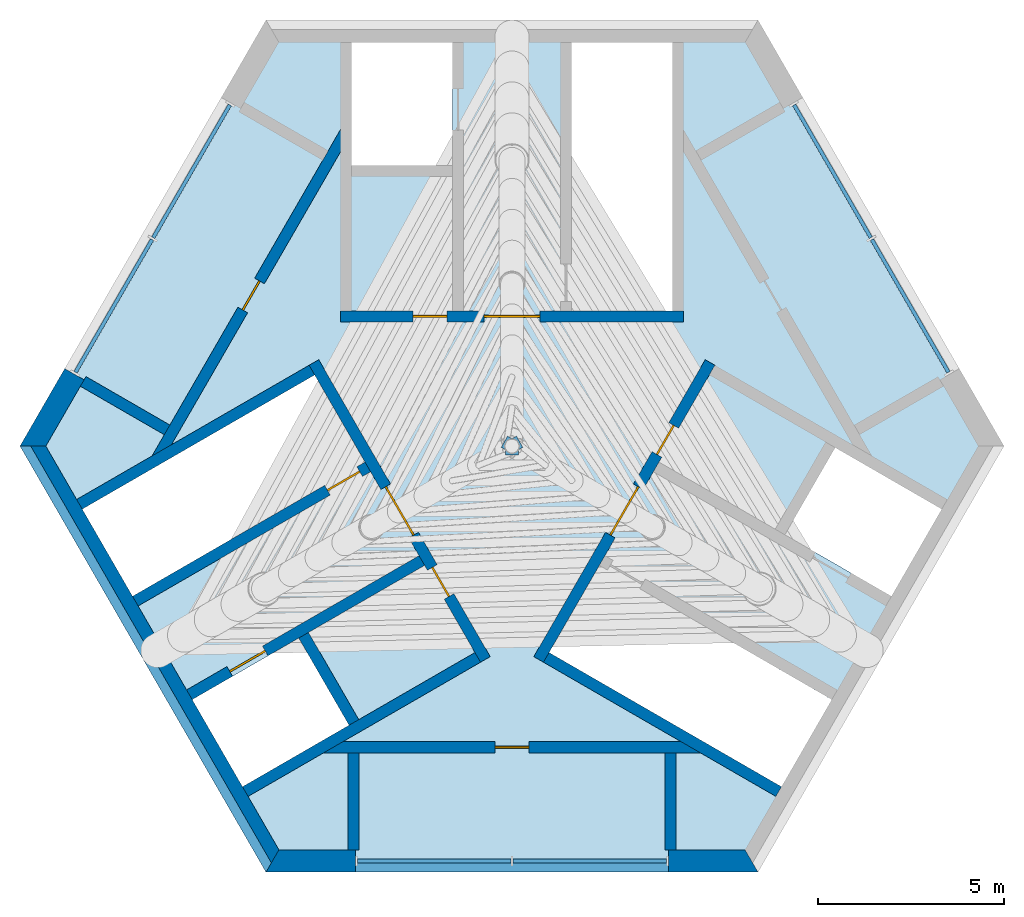
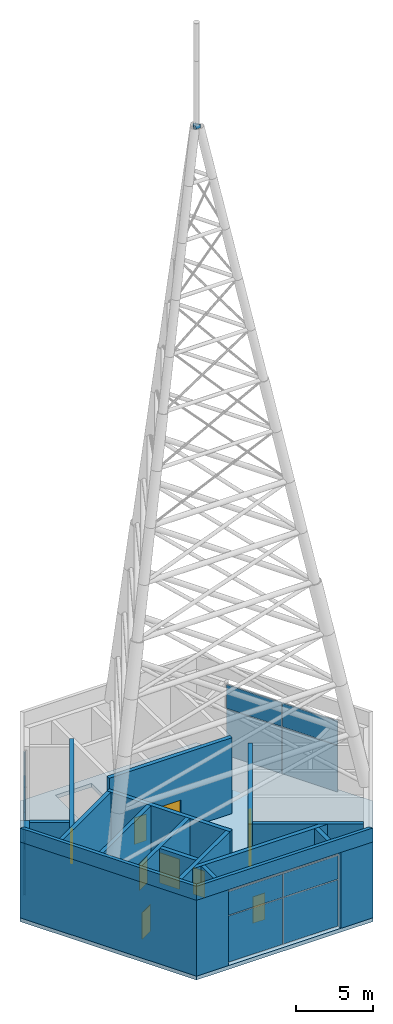
# One storey, part 8 of 10: 20 walls, 12 plates, 10 doors, 3 members, 1 slab, 10 openings, 3 elements without a shape of their own.
"""IFC4 building model written with IfcOpenShell, lengths in metres."""

from ifc_helpers import new_model, si_unit, direction, frame, frame_2d, origin, origin_2d, place, context, subcontext, project, spatial, polyline, rectangle, hollow_circle, outline, extrude, material, layer, layer_set, material_profile, profile_set, type_object, element, fill, aggregate, save


model = new_model("IFC4")

# Units and contexts
model_context = context("Model", 3, precision=1e-05, world=origin(), true_north=direction((0.0, 1.0)))
body_context = subcontext(model_context, "Body", "Model", "MODEL_VIEW")
ifc_project = project(units=[si_unit("LENGTHUNIT", "METRE"), si_unit("AREAUNIT", "SQUARE_METRE"), si_unit("VOLUMEUNIT", "CUBIC_METRE"), si_unit("PLANEANGLEUNIT", "RADIAN"), si_unit("MASSUNIT", "GRAM", prefix="KILO")], contexts=[model_context])

# Site, building, storey
site_placement = place(None, origin())
site = spatial("IfcSite", under=ifc_project, at=site_placement, CompositionType="ELEMENT")
building_placement = place(site_placement, origin())
building = spatial("IfcBuilding", under=site, at=building_placement, Name="Impinga Residences", CompositionType="ELEMENT")
storey_placement = place(building_placement, frame((0.0, 0.0, 301.75)))
storey = spatial("IfcBuildingStorey", under=building, at=storey_placement, Name="L75", CompositionType="ELEMENT", Elevation=301.75)

# Members
ifc_material_1 = material(Name="Steel S355J2H", Category="steel")
ifc_material_profile = material_profile(ifc_material_1, hollow_circle(Radius=0.136474609375, WallThickness=0.010009765625, at=origin_2d()), Name="CHS 273x10")
ifc_profile_set = profile_set([ifc_material_profile], Name="Steel S355J2H")
member_type = type_object("IfcMemberType", Name="SP5 SPIRE CHS 273x10", PredefinedType="BRACE", material=ifc_profile_set)
member_1_placement = place(storey_placement, frame((0.0, 0.199951171875, 58.0), z_axis=(-0.499702115105, -0.866197319414, 0.0), x_axis=(0.866197319414, -0.499702115105, 0.0)))
element("IfcMember", 1, at=member_1_placement, inside=storey, type_object=member_type, Name="SPIRE ring N-W panel 13", PredefinedType="BRACE", context=body_context, shape_type="SweptSolid", body=[
    extrude(hollow_circle(Radius=0.136474609375, WallThickness=0.010009765625, at=origin_2d()), origin(), (0.0, 0.0, 1.0), 0.346435546875),
])
member_2_placement = place(storey_placement, frame((-0.173095703125, -0.10009765625, 58.0), z_axis=(1.0, 0.0, 0.0), x_axis=(0.0, 1.0, 0.0)))
element("IfcMember", 2, at=member_2_placement, inside=storey, type_object=member_type, Name="SPIRE ring W-E panel 13", PredefinedType="BRACE", context=body_context, shape_type="SweptSolid", body=[
    extrude(hollow_circle(Radius=0.136474609375, WallThickness=0.010009765625, at=origin_2d()), origin(), (0.0, 0.0, 1.0), 0.34619140625),
])
member_3_placement = place(storey_placement, frame((0.173095703125, -0.10009765625, 58.0), z_axis=(-0.499702115105, 0.866197319414, 0.0), x_axis=(-0.866197319414, -0.499702115105, 0.0)))
element("IfcMember", 3, at=member_3_placement, inside=storey, type_object=member_type, Name="SPIRE ring E-N panel 13", PredefinedType="BRACE", context=body_context, shape_type="SweptSolid", body=[
    extrude(hollow_circle(Radius=0.136474609375, WallThickness=0.010009765625, at=origin_2d()), origin(), (0.0, 0.0, 1.0), 0.346435546875),
])

# Curtain wall, plates
ifc_material_2 = material(Name="Aluminium stick curtain wall", Category="aluminium")
curtain_wall_type = type_object("IfcCurtainWallType", Name="CW4 plant floor louvred curtain wall", PredefinedType="USERDEFINED", material=ifc_material_2)
curtain_wall_1_placement = place(storey_placement, origin())
curtain_wall_1 = element("IfcCurtainWall", 4, at=curtain_wall_1_placement, inside=storey, type_object=curtain_wall_type, Name="Curtain wall CW4 L75", ObjectType="STICK CURTAIN WALL", PredefinedType="USERDEFINED")
ifc_material_3 = material(Name="Aluminium louvre blade panel", Category="aluminium")
ifc_layer_1 = layer(ifc_material_3, 0.10009765625)
ifc_layer_set_1 = layer_set([ifc_layer_1], Name="CW4-P louvre panel 100")
plate_type = type_object("IfcPlateType", Name="CW4-P louvre panel 100", PredefinedType="CURTAIN_PANEL", material=ifc_layer_set_1)
plate_1_placement = place(storey_placement, frame((-2.0849609375, -11.131591796875, 0.06005859375), z_axis=(0.0, 0.0, 1.0), x_axis=(1.0, 0.0, 0.0)))
plate_1 = element("IfcPlate", 5, at=plate_1_placement, type_object=plate_type, Name="CW4 panel 1.1", PredefinedType="CURTAIN_PANEL", context=body_context, shape_type="SweptSolid", body=[
    extrude(rectangle(XDim=4.110107421875, YDim=0.10009765625, at=origin_2d()), origin(), (0.0, 0.0, 1.0), 3.659912109375),
])
plate_2_placement = place(storey_placement, frame((-2.0849609375, -11.131591796875, 3.77978515625), z_axis=(0.0, 0.0, 1.0), x_axis=(1.0, 0.0, 0.0)))
plate_2 = element("IfcPlate", 6, at=plate_2_placement, type_object=plate_type, Name="CW4 panel 1.2", PredefinedType="CURTAIN_PANEL", context=body_context, shape_type="SweptSolid", body=[
    extrude(rectangle(XDim=4.110107421875, YDim=0.10009765625, at=origin_2d()), origin(), (0.0, 0.0, 1.0), 1.860107421875),
])
plate_3_placement = place(storey_placement, frame((2.0849609375, -11.131591796875, 0.06005859375), z_axis=(0.0, 0.0, 1.0), x_axis=(1.0, 0.0, 0.0)))
plate_3 = element("IfcPlate", 7, at=plate_3_placement, type_object=plate_type, Name="CW4 panel 2.1", PredefinedType="CURTAIN_PANEL", context=body_context, shape_type="SweptSolid", body=[
    extrude(rectangle(XDim=4.110107421875, YDim=0.10009765625, at=origin_2d()), origin(), (0.0, 0.0, 1.0), 3.659912109375),
])
plate_4_placement = place(storey_placement, frame((2.0849609375, -11.131591796875, 3.77978515625), z_axis=(0.0, 0.0, 1.0), x_axis=(1.0, 0.0, 0.0)))
plate_4 = element("IfcPlate", 8, at=plate_4_placement, type_object=plate_type, Name="CW4 panel 2.2", PredefinedType="CURTAIN_PANEL", context=body_context, shape_type="SweptSolid", body=[
    extrude(rectangle(XDim=4.110107421875, YDim=0.10009765625, at=origin_2d()), origin(), (0.0, 0.0, 1.0), 1.860107421875),
])
aggregate(curtain_wall_1, [plate_1, plate_2, plate_3, plate_4])

curtain_wall_2_placement = place(storey_placement, origin())
curtain_wall_2 = element("IfcCurtainWall", 9, at=curtain_wall_2_placement, inside=storey, type_object=curtain_wall_type, Name="Curtain wall CW4 L75", ObjectType="STICK CURTAIN WALL", PredefinedType="USERDEFINED")
plate_5_placement = place(storey_placement, frame((10.6826171875, 3.760009765625, 0.06005859375), z_axis=(0.0, 0.0, 1.0), x_axis=(-0.500000020194, 0.866025392126, 0.0)))
plate_5 = element("IfcPlate", 10, at=plate_5_placement, type_object=plate_type, Name="CW4 panel 1.1", PredefinedType="CURTAIN_PANEL", context=body_context, shape_type="SweptSolid", body=[
    extrude(rectangle(XDim=4.110107421875, YDim=0.10009765625, at=origin_2d()), origin(), (0.0, 0.0, 1.0), 3.659912109375),
])
plate_6_placement = place(storey_placement, frame((10.6826171875, 3.760009765625, 3.77978515625), z_axis=(0.0, 0.0, 1.0), x_axis=(-0.500000020194, 0.866025392126, 0.0)))
plate_6 = element("IfcPlate", 11, at=plate_6_placement, type_object=plate_type, Name="CW4 panel 1.2", PredefinedType="CURTAIN_PANEL", context=body_context, shape_type="SweptSolid", body=[
    extrude(rectangle(XDim=4.110107421875, YDim=0.10009765625, at=origin_2d()), origin(), (0.0, 0.0, 1.0), 1.860107421875),
])
plate_7_placement = place(storey_placement, frame((8.59765625, 7.371337890625, 0.06005859375), z_axis=(0.0, 0.0, 1.0), x_axis=(-0.500000020194, 0.866025392126, 0.0)))
plate_7 = element("IfcPlate", 12, at=plate_7_placement, type_object=plate_type, Name="CW4 panel 2.1", PredefinedType="CURTAIN_PANEL", context=body_context, shape_type="SweptSolid", body=[
    extrude(rectangle(XDim=4.110107421875, YDim=0.10009765625, at=origin_2d()), origin(), (0.0, 0.0, 1.0), 3.659912109375),
])
plate_8_placement = place(storey_placement, frame((8.59765625, 7.371337890625, 3.77978515625), z_axis=(0.0, 0.0, 1.0), x_axis=(-0.500000020194, 0.866025392126, 0.0)))
plate_8 = element("IfcPlate", 13, at=plate_8_placement, type_object=plate_type, Name="CW4 panel 2.2", PredefinedType="CURTAIN_PANEL", context=body_context, shape_type="SweptSolid", body=[
    extrude(rectangle(XDim=4.110107421875, YDim=0.10009765625, at=origin_2d()), origin(), (0.0, 0.0, 1.0), 1.860107421875),
])
aggregate(curtain_wall_2, [plate_5, plate_6, plate_7, plate_8])

curtain_wall_3_placement = place(storey_placement, origin())
curtain_wall_3 = element("IfcCurtainWall", 14, at=curtain_wall_3_placement, inside=storey, type_object=curtain_wall_type, Name="Curtain wall CW4 L75", ObjectType="STICK CURTAIN WALL", PredefinedType="USERDEFINED")
plate_9_placement = place(storey_placement, frame((-8.59765625, 7.371337890625, 0.06005859375), z_axis=(0.0, 0.0, 1.0), x_axis=(-0.500000020194, -0.866025392126, 0.0)))
plate_9 = element("IfcPlate", 15, at=plate_9_placement, type_object=plate_type, Name="CW4 panel 1.1", PredefinedType="CURTAIN_PANEL", context=body_context, shape_type="SweptSolid", body=[
    extrude(rectangle(XDim=4.110107421875, YDim=0.10009765625, at=origin_2d()), origin(), (0.0, 0.0, 1.0), 3.659912109375),
])
plate_10_placement = place(storey_placement, frame((-8.59765625, 7.371337890625, 3.77978515625), z_axis=(0.0, 0.0, 1.0), x_axis=(-0.500000020194, -0.866025392126, 0.0)))
plate_10 = element("IfcPlate", 16, at=plate_10_placement, type_object=plate_type, Name="CW4 panel 1.2", PredefinedType="CURTAIN_PANEL", context=body_context, shape_type="SweptSolid", body=[
    extrude(rectangle(XDim=4.110107421875, YDim=0.10009765625, at=origin_2d()), origin(), (0.0, 0.0, 1.0), 1.860107421875),
])
plate_11_placement = place(storey_placement, frame((-10.6826171875, 3.760009765625, 0.06005859375), z_axis=(0.0, 0.0, 1.0), x_axis=(-0.500000020194, -0.866025392126, 0.0)))
plate_11 = element("IfcPlate", 17, at=plate_11_placement, type_object=plate_type, Name="CW4 panel 2.1", PredefinedType="CURTAIN_PANEL", context=body_context, shape_type="SweptSolid", body=[
    extrude(rectangle(XDim=4.110107421875, YDim=0.10009765625, at=origin_2d()), origin(), (0.0, 0.0, 1.0), 3.659912109375),
])
plate_12_placement = place(storey_placement, frame((-10.6826171875, 3.760009765625, 3.77978515625), z_axis=(0.0, 0.0, 1.0), x_axis=(-0.500000020194, -0.866025392126, 0.0)))
plate_12 = element("IfcPlate", 18, at=plate_12_placement, type_object=plate_type, Name="CW4 panel 2.2", PredefinedType="CURTAIN_PANEL", context=body_context, shape_type="SweptSolid", body=[
    extrude(rectangle(XDim=4.110107421875, YDim=0.10009765625, at=origin_2d()), origin(), (0.0, 0.0, 1.0), 1.860107421875),
])
aggregate(curtain_wall_3, [plate_9, plate_10, plate_11, plate_12])

# Slab
ifc_material_4 = material(Name="Concrete C60/75", Category="concrete")
ifc_layer_2 = layer(ifc_material_4, 0.300048828125)
ifc_layer_set_2 = layer_set([ifc_layer_2], Name="Concrete C60/75")
slab_type = type_object("IfcSlabType", Name="FS2 podium, plant and crown floor slab 300", PredefinedType="FLOOR", material=ifc_layer_set_2)
slab_placement = place(storey_placement, frame((0.0, 0.0, -0.300048828125)))
element("IfcSlab", 19, at=slab_placement, inside=storey, type_object=slab_type, Name="Floor slab FS2 L75", PredefinedType="FLOOR", context=body_context, shape_type="SweptSolid", body=[
    extrude(outline(polyline([(6.60009765625, -11.431640625), (-6.60009765625, -11.431640625), (-13.199951171875, 0.0), (-6.60009765625, 11.431640625), (6.60009765625, 11.431640625), (13.199951171875, 0.0), (6.60009765625, -11.431640625)]), holes=[polyline([(-7.23046875, -9.1396484375), (-4.37109375, -7.489013671875), (-5.72119140625, -5.150634765625), (-8.580322265625, -6.801513671875), (-7.23046875, -9.1396484375)]), polyline([(7.23046875, -9.1396484375), (8.580322265625, -6.801513671875), (2.34375, -3.20068359375), (0.99365234375, -5.538818359375), (7.23046875, -9.1396484375)]), polyline([(10.180419921875, -4.030029296875), (11.5302734375, -1.69189453125), (8.671142578125, -0.041015625), (7.3212890625, -2.37939453125), (10.180419921875, -4.030029296875)]), polyline([(-10.180419921875, -4.030029296875), (-3.943603515625, -0.429443359375), (-5.293701171875, 1.908935546875), (-11.5302734375, -1.69189453125), (-10.180419921875, -4.030029296875)]), polyline([(4.300048828125, 10.83154296875), (1.60009765625, 10.83154296875), (1.60009765625, 3.6298828125), (4.300048828125, 3.6298828125), (4.300048828125, 10.83154296875)]), polyline([(-1.60009765625, 10.83154296875), (-4.300048828125, 10.83154296875), (-4.300048828125, 7.530029296875), (-1.60009765625, 7.530029296875), (-1.60009765625, 10.83154296875)])]), origin(), (0.0, 0.0, 1.0), 0.300048828125),
])

# Walls
ifc_layer_3 = layer(ifc_material_4, 0.25)
ifc_layer_set_3 = layer_set([ifc_layer_3], Name="Concrete C60/75")
wall_type_1 = type_object("IfcWallType", Name="PA1 roof parapet 250", PredefinedType="PARAPET", material=ifc_layer_set_3)
wall_1_placement = place(storey_placement, frame((0.0, 0.0, 6.0)))
element("IfcWall", 20, at=wall_1_placement, inside=storey, type_object=wall_type_1, Name="Parapet PA1 L75", PredefinedType="PARAPET", context=body_context, shape_type="SweptSolid", body=[
    extrude(outline(polyline([(-13.199951171875, 0.0), (-6.60009765625, -11.431640625), (-6.45556640625, -11.181640625), (-12.911376953125, 0.0), (-13.199951171875, 0.0)])), origin(), (0.0, 0.0, 1.0), 1.10009765625),
])
wall_2_placement = place(storey_placement, frame((0.0, 0.0, 6.0)))
element("IfcWall", 21, at=wall_2_placement, inside=storey, type_object=wall_type_1, Name="Parapet PA1 L75", PredefinedType="PARAPET", context=body_context, shape_type="SweptSolid", body=[
    extrude(outline(polyline([(-6.60009765625, -11.431640625), (6.60009765625, -11.431640625), (6.45556640625, -11.181640625), (-6.45556640625, -11.181640625), (-6.60009765625, -11.431640625)])), origin(), (0.0, 0.0, 1.0), 1.10009765625),
])
ifc_layer_4 = layer(ifc_material_4, 0.60009765625)
ifc_layer_set_4 = layer_set([ifc_layer_4], Name="Concrete C60/75")
wall_type_2 = type_object("IfcWallType", Name="SW4 core wall, crown 600", PredefinedType="SHEAR", material=ifc_layer_set_4)
wall_3_placement = place(storey_placement, origin())
element("IfcWall", 22, at=wall_3_placement, inside=storey, type_object=wall_type_2, Name="Core wall SW4 W:FACE L75", PredefinedType="SHEAR", context=body_context, shape_type="SweptSolid", body=[
    extrude(outline(polyline([(-6.60009765625, -11.431640625), (-13.199951171875, 0.0), (-12.507080078125, 0.0), (-6.253662109375, -10.83154296875), (-6.60009765625, -11.431640625)])), origin(), (0.0, 0.0, 1.0), 6.0),
])
wall_4_placement = place(storey_placement, origin())
element("IfcWall", 23, at=wall_4_placement, inside=storey, type_object=wall_type_2, Name="Core wall SW4 N:EXPOSED:1 L75", PredefinedType="SHEAR", context=body_context, shape_type="SweptSolid", body=[
    extrude(outline(polyline([(-6.60009765625, -11.431640625), (-4.199951171875, -11.431640625), (-4.199951171875, -10.83154296875), (-6.253662109375, -10.83154296875), (-6.60009765625, -11.431640625)])), origin(), (0.0, 0.0, 1.0), 6.0),
])
wall_5_placement = place(storey_placement, origin())
element("IfcWall", 24, at=wall_5_placement, inside=storey, type_object=wall_type_2, Name="Core wall SW4 N:EXPOSED:2 L75", PredefinedType="SHEAR", context=body_context, shape_type="SweptSolid", body=[
    extrude(outline(polyline([(4.199951171875, -11.431640625), (6.60009765625, -11.431640625), (6.253662109375, -10.83154296875), (4.199951171875, -10.83154296875), (4.199951171875, -11.431640625)])), origin(), (0.0, 0.0, 1.0), 6.0),
])
wall_6_placement = place(storey_placement, origin())
element("IfcWall", 25, at=wall_6_placement, inside=storey, type_object=wall_type_2, Name="Core wall SW4 E:EXPOSED:2 L75", PredefinedType="SHEAR", context=body_context, shape_type="SweptSolid", body=[
    extrude(outline(polyline([(-12.0, 2.078369140625), (-13.199951171875, 0.0), (-12.507080078125, 0.0), (-11.48046875, 1.778564453125), (-12.0, 2.078369140625)])), origin(), (0.0, 0.0, 1.0), 6.0),
])

# Wall, openings, doors
ifc_material_5 = material(Name="Concrete C70/85", Category="concrete")
ifc_layer_5 = layer(ifc_material_5, 0.300048828125)
ifc_layer_set_5 = layer_set([ifc_layer_5], Name="Concrete C70/85")
wall_type_3 = type_object("IfcWallType", Name="SW5 core inner wall, stairs, shafts and lobbies 300", PredefinedType="SHEAR", material=ifc_layer_set_5)
wall_7_placement = place(storey_placement, frame((-4.60009765625, 3.47998046875, 0.0), z_axis=(0.0, 0.0, 1.0), x_axis=(1.0, 0.0, 0.0)))
wall_7 = element("IfcWall", 26, at=wall_7_placement, inside=storey, type_object=wall_type_3, Name="Core wall SW5 N:ZONE L75", PredefinedType="SHEAR", context=body_context, shape_type="SweptSolid", body=[
    extrude(rectangle(XDim=9.2001953125, YDim=0.300048828125, at=frame_2d((4.60009765625, 0.0))), origin(), (0.0, 0.0, 1.0), 6.0),
])
opening_1_placement = place(wall_7_placement, frame((3.85009765625, 0.0, 0.0)))
opening_1 = element("IfcOpeningElement", 27, at=opening_1_placement, cuts=wall_7, Name="Opening D8", PredefinedType="OPENING", context=body_context, shape_type="SweptSolid", body=[
    extrude(rectangle(XDim=1.5, YDim=2.39990234375, at=frame_2d((0.75, 1.199951171875))), frame((0.0, 0.159912109375, 0.0), z_axis=(0.0, -1.0, 0.0), x_axis=(1.0, 0.0, 0.0)), (0.0, 0.0, 1.0), 0.320068359375),
])
opening_2_placement = place(wall_7_placement, frame((1.949951171875, 0.0, 0.0)))
opening_2 = element("IfcOpeningElement", 28, at=opening_2_placement, cuts=wall_7, Name="Opening D6", PredefinedType="OPENING", context=body_context, shape_type="SweptSolid", body=[
    extrude(rectangle(XDim=0.89990234375, YDim=2.10009765625, at=frame_2d((0.449951171875, 1.050048828125))), frame((0.0, 0.159912109375, 0.0), z_axis=(0.0, -1.0, 0.0), x_axis=(1.0, 0.0, 0.0)), (0.0, 0.0, 1.0), 0.320068359375),
])
ifc_material_6 = material(Name="Timber door set", Category="wood")
door_type_1 = type_object("IfcDoorType", Name="D6 riser and store door 900x2100", OperationType="SINGLE_SWING_LEFT", PredefinedType="DOOR", material=ifc_material_6)
door_1_placement = place(opening_2_placement, origin())
door_1 = element("IfcDoor", 29, at=door_1_placement, inside=storey, type_object=door_type_1, Name="Riser door N", OperationType="SINGLE_SWING_LEFT", OverallHeight=2.10009765625, OverallWidth=0.89990234375, PredefinedType="DOOR", context=body_context, shape_type="SweptSolid", body=[
    extrude(rectangle(XDim=0.89990234375, YDim=2.10009765625, at=frame_2d((0.449951171875, 1.050048828125))), frame((0.0, 0.02490234375, 0.0), z_axis=(0.0, -1.0, 0.0), x_axis=(1.0, 0.0, 0.0)), (0.0, 0.0, 1.0), 0.050048828125),
])
fill(opening_2, door_1)
door_type_2 = type_object("IfcDoorType", Name="D8 plant room door pair 1500x2400", OperationType="DOUBLE_DOOR_DOUBLE_SWING", PredefinedType="DOOR", material=ifc_material_6)
door_2_placement = place(opening_1_placement, origin())
door_2 = element("IfcDoor", 30, at=door_2_placement, inside=storey, type_object=door_type_2, Name="Plant room door pair N", OperationType="DOUBLE_DOOR_DOUBLE_SWING", OverallHeight=2.39990234375, OverallWidth=1.5, PredefinedType="DOOR", context=body_context, shape_type="SweptSolid", body=[
    extrude(rectangle(XDim=1.5, YDim=2.39990234375, at=frame_2d((0.75, 1.199951171875))), frame((0.0, 0.02490234375, 0.0), z_axis=(0.0, -1.0, 0.0), x_axis=(1.0, 0.0, 0.0)), (0.0, 0.0, 1.0), 0.050048828125),
])
fill(opening_1, door_2)

wall_8_placement = place(storey_placement, frame((-0.7138671875, -5.7236328125, 0.0), z_axis=(0.0, 0.0, 1.0), x_axis=(-0.499995050369, 0.866028261437, 0.0)))
wall_8 = element("IfcWall", 31, at=wall_8_placement, inside=storey, type_object=wall_type_3, Name="Core wall SW5 W:ZONE L75", PredefinedType="SHEAR", context=body_context, shape_type="SweptSolid", body=[
    extrude(rectangle(XDim=9.19970703125, YDim=0.300048828125, at=frame_2d((4.599853515625, 0.0))), origin(), (0.0, 0.0, 1.0), 6.0),
])
opening_3_placement = place(wall_8_placement, frame((3.85009765625, 0.0, 0.0)))
opening_3 = element("IfcOpeningElement", 32, at=opening_3_placement, cuts=wall_8, Name="Opening D8", PredefinedType="OPENING", context=body_context, shape_type="SweptSolid", body=[
    extrude(rectangle(XDim=1.5, YDim=2.39990234375, at=frame_2d((0.75, 1.199951171875))), frame((0.0, 0.159912109375, 0.0), z_axis=(0.0, -1.0, 0.0), x_axis=(1.0, 0.0, 0.0)), (0.0, 0.0, 1.0), 0.320068359375),
])
opening_4_placement = place(wall_8_placement, frame((1.949951171875, 0.0, 0.0)))
opening_4 = element("IfcOpeningElement", 33, at=opening_4_placement, cuts=wall_8, Name="Opening D6", PredefinedType="OPENING", context=body_context, shape_type="SweptSolid", body=[
    extrude(rectangle(XDim=0.89990234375, YDim=2.10009765625, at=frame_2d((0.449951171875, 1.050048828125))), frame((0.0, 0.159912109375, 0.0), z_axis=(0.0, -1.0, 0.0), x_axis=(1.0, 0.0, 0.0)), (0.0, 0.0, 1.0), 0.320068359375),
])
door_3_placement = place(opening_4_placement, origin())
door_3 = element("IfcDoor", 34, at=door_3_placement, inside=storey, type_object=door_type_1, Name="Riser door W", OperationType="SINGLE_SWING_LEFT", OverallHeight=2.10009765625, OverallWidth=0.89990234375, PredefinedType="DOOR", context=body_context, shape_type="SweptSolid", body=[
    extrude(rectangle(XDim=0.89990234375, YDim=2.10009765625, at=frame_2d((0.449951171875, 1.050048828125))), frame((0.0, 0.02490234375, 0.0), z_axis=(0.0, -1.0, 0.0), x_axis=(1.0, 0.0, 0.0)), (0.0, 0.0, 1.0), 0.050048828125),
])
fill(opening_4, door_3)
door_4_placement = place(opening_3_placement, origin())
door_4 = element("IfcDoor", 35, at=door_4_placement, inside=storey, type_object=door_type_2, Name="Plant room door pair W", OperationType="DOUBLE_DOOR_DOUBLE_SWING", OverallHeight=2.39990234375, OverallWidth=1.5, PredefinedType="DOOR", context=body_context, shape_type="SweptSolid", body=[
    extrude(rectangle(XDim=1.5, YDim=2.39990234375, at=frame_2d((0.75, 1.199951171875))), frame((0.0, 0.02490234375, 0.0), z_axis=(0.0, -1.0, 0.0), x_axis=(1.0, 0.0, 0.0)), (0.0, 0.0, 1.0), 0.050048828125),
])
fill(opening_3, door_4)

# Wall, opening, door
wall_9_placement = place(storey_placement, frame((-3.86865234375, -0.559326171875, 0.0), z_axis=(0.0, 0.0, 1.0), x_axis=(-0.866039935929, -0.499974828743, 0.0)))
wall_9 = element("IfcWall", 36, at=wall_9_placement, inside=storey, type_object=wall_type_3, Name="Core wall SW5 W:ST-IN L75", PredefinedType="SHEAR", context=body_context, shape_type="SweptSolid", body=[
    extrude(rectangle(XDim=7.201416015625, YDim=0.300048828125, at=frame_2d((3.6005859375, 0.0))), origin(), (0.0, 0.0, 1.0), 6.0),
])
opening_5_placement = place(wall_9_placement, frame((0.25, 0.0, 0.0)))
opening_5 = element("IfcOpeningElement", 37, at=opening_5_placement, cuts=wall_9, Name="Opening D5", PredefinedType="OPENING", context=body_context, shape_type="SweptSolid", body=[
    extrude(rectangle(XDim=1.0, YDim=2.10009765625, at=frame_2d((0.5, 1.050048828125))), frame((0.0, 0.159912109375, 0.0), z_axis=(0.0, -1.0, 0.0), x_axis=(1.0, 0.0, 0.0)), (0.0, 0.0, 1.0), 0.320068359375),
])
door_type_3 = type_object("IfcDoorType", Name="D5 stair door 1000x2100", OperationType="SINGLE_SWING_LEFT", PredefinedType="DOOR", material=ifc_material_6)
door_5_placement = place(opening_5_placement, origin())
door_5 = element("IfcDoor", 38, at=door_5_placement, inside=storey, type_object=door_type_3, Name="Stair door W", OperationType="SINGLE_SWING_LEFT", OverallHeight=2.10009765625, OverallWidth=1.0, PredefinedType="DOOR", context=body_context, shape_type="SweptSolid", body=[
    extrude(rectangle(XDim=1.0, YDim=2.10009765625, at=frame_2d((0.5, 1.050048828125))), frame((0.0, 0.02490234375, 0.0), z_axis=(0.0, -1.0, 0.0), x_axis=(1.0, 0.0, 0.0)), (0.0, 0.0, 1.0), 0.050048828125),
])
fill(opening_5, door_5)

# Wall
wall_10_placement = place(storey_placement, frame((-5.36865234375, 2.038818359375, 0.0), z_axis=(0.0, 0.0, 1.0), x_axis=(-0.866025256649, -0.500000254847, 0.0)))
element("IfcWall", 39, at=wall_10_placement, inside=storey, type_object=wall_type_3, Name="Core wall SW5 W:ST-OUT L75", PredefinedType="SHEAR", context=body_context, shape_type="SweptSolid", body=[
    extrude(rectangle(XDim=7.20166015625, YDim=0.300048828125, at=frame_2d((3.600830078125, 0.0))), origin(), (0.0, 0.0, 1.0), 6.0),
])

# Wall, opening, door
wall_11_placement = place(storey_placement, frame((-2.418701171875, -3.07080078125, 0.0), z_axis=(0.0, 0.0, 1.0), x_axis=(-0.86603146111, -0.499989508258, 0.0)))
wall_11 = element("IfcWall", 40, at=wall_11_placement, inside=storey, type_object=wall_type_3, Name="Core wall SW5 W:FF-IN L75", PredefinedType="SHEAR", context=body_context, shape_type="SweptSolid", body=[
    extrude(rectangle(XDim=7.201416015625, YDim=0.300048828125, at=frame_2d((3.6005859375, 0.0))), origin(), (0.0, 0.0, 1.0), 6.0),
])
opening_6_placement = place(wall_11_placement, frame((4.85009765625, 0.0, 0.0)))
opening_6 = element("IfcOpeningElement", 41, at=opening_6_placement, cuts=wall_11, Name="Opening LD2", PredefinedType="OPENING", context=body_context, shape_type="SweptSolid", body=[
    extrude(rectangle(XDim=1.10009765625, YDim=2.10009765625, at=frame_2d((0.550048828125, 1.050048828125))), frame((0.0, 0.159912109375, 0.0), z_axis=(0.0, -1.0, 0.0), x_axis=(1.0, 0.0, 0.0)), (0.0, 0.0, 1.0), 0.320068359375),
])
ifc_material_7 = material(Name="Steel lift landing door", Category="steel")
door_type_4 = type_object("IfcDoorType", Name="LD2 firefighting lift landing door 1100x2100", OperationType="DOUBLE_DOOR_SLIDING", PredefinedType="DOOR", material=ifc_material_7)
door_6_placement = place(opening_6_placement, origin())
door_6 = element("IfcDoor", 42, at=door_6_placement, inside=storey, type_object=door_type_4, Name="Firefighting lift landing door F2", OperationType="DOUBLE_DOOR_SLIDING", OverallHeight=2.10009765625, OverallWidth=1.10009765625, PredefinedType="DOOR", context=body_context, shape_type="SweptSolid", body=[
    extrude(rectangle(XDim=1.10009765625, YDim=2.10009765625, at=frame_2d((0.550048828125, 1.050048828125))), frame((0.0, 0.02490234375, 0.0), z_axis=(0.0, -1.0, 0.0), x_axis=(1.0, 0.0, 0.0)), (0.0, 0.0, 1.0), 0.050048828125),
])
fill(opening_6, door_6)

# Walls
wall_12_placement = place(storey_placement, frame((-0.918701171875, -5.668701171875, 0.0), z_axis=(0.0, 0.0, 1.0), x_axis=(-0.866016781112, -0.50001493461, 0.0)))
element("IfcWall", 43, at=wall_12_placement, inside=storey, type_object=wall_type_3, Name="Core wall SW5 W:FF-OUT L75", PredefinedType="SHEAR", context=body_context, shape_type="SweptSolid", body=[
    extrude(rectangle(XDim=7.201416015625, YDim=0.300048828125, at=frame_2d((3.6005859375, 0.0))), origin(), (0.0, 0.0, 1.0), 6.0),
])
wall_13_placement = place(storey_placement, frame((-4.2412109375, -7.413818359375, 0.0), z_axis=(0.0, 0.0, 1.0), x_axis=(-0.500048589285, 0.86599734893, 0.0)))
element("IfcWall", 44, at=wall_13_placement, inside=storey, type_object=wall_type_3, Name="Core wall SW5 W:FF-RS L75", PredefinedType="SHEAR", context=body_context, shape_type="SweptSolid", body=[
    extrude(rectangle(XDim=2.699951171875, YDim=0.300048828125, at=frame_2d((1.35009765625, 0.0))), origin(), (0.0, 0.0, 1.0), 6.0),
])

# Wall, openings, doors
wall_14_placement = place(storey_placement, frame((5.313720703125, 2.24365234375, 0.0), z_axis=(0.0, 0.0, 1.0), x_axis=(-0.499995050369, -0.866028261437, 0.0)))
wall_14 = element("IfcWall", 45, at=wall_14_placement, inside=storey, type_object=wall_type_3, Name="Core wall SW5 E:ZONE L75", PredefinedType="SHEAR", context=body_context, shape_type="SweptSolid", body=[
    extrude(rectangle(XDim=9.19970703125, YDim=0.300048828125, at=frame_2d((4.599853515625, 0.0))), origin(), (0.0, 0.0, 1.0), 6.0),
])
opening_7_placement = place(wall_14_placement, frame((3.85009765625, 0.0, 0.0)))
opening_7 = element("IfcOpeningElement", 46, at=opening_7_placement, cuts=wall_14, Name="Opening D8", PredefinedType="OPENING", context=body_context, shape_type="SweptSolid", body=[
    extrude(rectangle(XDim=1.5, YDim=2.39990234375, at=frame_2d((0.75, 1.199951171875))), frame((0.0, 0.159912109375, 0.0), z_axis=(0.0, -1.0, 0.0), x_axis=(1.0, 0.0, 0.0)), (0.0, 0.0, 1.0), 0.320068359375),
])
opening_8_placement = place(wall_14_placement, frame((1.949951171875, 0.0, 0.0)))
opening_8 = element("IfcOpeningElement", 47, at=opening_8_placement, cuts=wall_14, Name="Opening D6", PredefinedType="OPENING", context=body_context, shape_type="SweptSolid", body=[
    extrude(rectangle(XDim=0.89990234375, YDim=2.10009765625, at=frame_2d((0.449951171875, 1.050048828125))), frame((0.0, 0.159912109375, 0.0), z_axis=(0.0, -1.0, 0.0), x_axis=(1.0, 0.0, 0.0)), (0.0, 0.0, 1.0), 0.320068359375),
])
door_7_placement = place(opening_8_placement, origin())
door_7 = element("IfcDoor", 48, at=door_7_placement, inside=storey, type_object=door_type_1, Name="Riser door E", OperationType="SINGLE_SWING_LEFT", OverallHeight=2.10009765625, OverallWidth=0.89990234375, PredefinedType="DOOR", context=body_context, shape_type="SweptSolid", body=[
    extrude(rectangle(XDim=0.89990234375, YDim=2.10009765625, at=frame_2d((0.449951171875, 1.050048828125))), frame((0.0, 0.02490234375, 0.0), z_axis=(0.0, -1.0, 0.0), x_axis=(1.0, 0.0, 0.0)), (0.0, 0.0, 1.0), 0.050048828125),
])
fill(opening_8, door_7)
door_8_placement = place(opening_7_placement, origin())
door_8 = element("IfcDoor", 49, at=door_8_placement, inside=storey, type_object=door_type_2, Name="Plant room door pair E", OperationType="DOUBLE_DOOR_DOUBLE_SWING", OverallHeight=2.39990234375, OverallWidth=1.5, PredefinedType="DOOR", context=body_context, shape_type="SweptSolid", body=[
    extrude(rectangle(XDim=1.5, YDim=2.39990234375, at=frame_2d((0.75, 1.199951171875))), frame((0.0, 0.02490234375, 0.0), z_axis=(0.0, -1.0, 0.0), x_axis=(1.0, 0.0, 0.0)), (0.0, 0.0, 1.0), 0.050048828125),
])
fill(opening_7, door_8)

# Wall
wall_15_placement = place(storey_placement, frame((0.918701171875, -5.668701171875, 0.0), z_axis=(0.0, 0.0, 1.0), x_axis=(0.866016781112, -0.50001493461, 0.0)))
element("IfcWall", 50, at=wall_15_placement, inside=storey, type_object=wall_type_3, Name="Core wall SW5 E:ST-OUT L75", PredefinedType="SHEAR", context=body_context, shape_type="SweptSolid", body=[
    extrude(rectangle(XDim=7.201416015625, YDim=0.300048828125, at=frame_2d((3.6005859375, 0.0))), origin(), (0.0, 0.0, 1.0), 6.0),
])

# Wall, opening, door
wall_16_placement = place(storey_placement, frame((5.09765625, -8.08154296875, 0.0), z_axis=(0.0, 0.0, 1.0), x_axis=(-1.0, 0.0, 0.0)))
wall_16 = element("IfcWall", 51, at=wall_16_placement, inside=storey, type_object=wall_type_3, Name="Core wall SW5 N:BANK-FRONT L75", PredefinedType="SHEAR", context=body_context, shape_type="SweptSolid", body=[
    extrude(rectangle(XDim=10.1953125, YDim=0.300048828125, at=frame_2d((5.09765625, 0.0))), origin(), (0.0, 0.0, 1.0), 6.0),
])
opening_9_placement = place(wall_16_placement, frame((4.647705078125, 0.0, 0.0)))
opening_9 = element("IfcOpeningElement", 52, at=opening_9_placement, cuts=wall_16, Name="Opening D6", PredefinedType="OPENING", context=body_context, shape_type="SweptSolid", body=[
    extrude(rectangle(XDim=0.89990234375, YDim=2.10009765625, at=frame_2d((0.449951171875, 1.050048828125))), frame((0.0, 0.159912109375, 0.0), z_axis=(0.0, -1.0, 0.0), x_axis=(1.0, 0.0, 0.0)), (0.0, 0.0, 1.0), 0.320068359375),
])
door_9_placement = place(opening_9_placement, origin())
door_9 = element("IfcDoor", 53, at=door_9_placement, inside=storey, type_object=door_type_1, Name="Pressurisation fan plant room door", OperationType="SINGLE_SWING_LEFT", OverallHeight=2.10009765625, OverallWidth=0.89990234375, PredefinedType="DOOR", context=body_context, shape_type="SweptSolid", body=[
    extrude(rectangle(XDim=0.89990234375, YDim=2.10009765625, at=frame_2d((0.449951171875, 1.050048828125))), frame((0.0, 0.02490234375, 0.0), z_axis=(0.0, -1.0, 0.0), x_axis=(1.0, 0.0, 0.0)), (0.0, 0.0, 1.0), 0.050048828125),
])
fill(opening_9, door_9)

# Walls
for number, where, z_axis, x_axis, name in (
    (54, (4.25, -8.2314453125, 0.0), (0.0, 0.0, 1.0), (0.0, -1.0, 0.0), "Core wall SW5 N:BANK-L L75"),
    (55, (-4.25, -8.2314453125, 0.0), (0.0, 0.0, 1.0), (0.0, -1.0, 0.0), "Core wall SW5 N:BANK-R L75"),
):
    element("IfcWall", number, at=place(storey_placement, frame(where, z_axis=z_axis, x_axis=x_axis)), inside=storey, type_object=wall_type_3, Name=name, PredefinedType="SHEAR", context=body_context, shape_type="SweptSolid", body=[
        extrude(rectangle(XDim=2.60009765625, YDim=0.300048828125, at=frame_2d((1.300048828125, 0.0))), origin(), (0.0, 0.0, 1.0), 6.0),
    ])

# Wall, opening, door
wall_17_placement = place(storey_placement, frame((-9.547607421875, -0.3740234375, 0.0), z_axis=(0.0, 0.0, 1.0), x_axis=(0.500002290144, 0.866024081565, 0.0)))
wall_17 = element("IfcWall", 56, at=wall_17_placement, inside=storey, type_object=wall_type_3, Name="Core wall SW5 E:BANK-FRONT L75", PredefinedType="SHEAR", context=body_context, shape_type="SweptSolid", body=[
    extrude(rectangle(XDim=10.1953125, YDim=0.300048828125, at=frame_2d((5.09765625, 0.0))), origin(), (0.0, 0.0, 1.0), 6.0),
])
opening_10_placement = place(wall_17_placement, frame((4.647705078125, 0.0, 0.0)))
opening_10 = element("IfcOpeningElement", 57, at=opening_10_placement, cuts=wall_17, Name="Opening D6", PredefinedType="OPENING", context=body_context, shape_type="SweptSolid", body=[
    extrude(rectangle(XDim=0.89990234375, YDim=2.10009765625, at=frame_2d((0.449951171875, 1.050048828125))), frame((0.0, 0.159912109375, 0.0), z_axis=(0.0, -1.0, 0.0), x_axis=(1.0, 0.0, 0.0)), (0.0, 0.0, 1.0), 0.320068359375),
])
door_10_placement = place(opening_10_placement, origin())
door_10 = element("IfcDoor", 58, at=door_10_placement, inside=storey, type_object=door_type_1, Name="Plant room above lift shaft door", OperationType="SINGLE_SWING_LEFT", OverallHeight=2.10009765625, OverallWidth=0.89990234375, PredefinedType="DOOR", context=body_context, shape_type="SweptSolid", body=[
    extrude(rectangle(XDim=0.89990234375, YDim=2.10009765625, at=frame_2d((0.449951171875, 1.050048828125))), frame((0.0, 0.02490234375, 0.0), z_axis=(0.0, -1.0, 0.0), x_axis=(1.0, 0.0, 0.0)), (0.0, 0.0, 1.0), 0.050048828125),
])
fill(opening_10, door_10)

# Wall
wall_18_placement = place(storey_placement, frame((-9.253662109375, 0.43505859375, 0.0), z_axis=(0.0, 0.0, 1.0), x_axis=(-0.866021400173, 0.500006934395, 0.0)))
element("IfcWall", 59, at=wall_18_placement, inside=storey, type_object=wall_type_3, Name="Core wall SW5 E:BANK-L L75", PredefinedType="SHEAR", context=body_context, shape_type="SweptSolid", body=[
    extrude(rectangle(XDim=2.60009765625, YDim=0.300048828125, at=frame_2d((1.300048828125, 0.0))), origin(), (0.0, 0.0, 1.0), 6.0),
])

save(model, "model.ifc")
